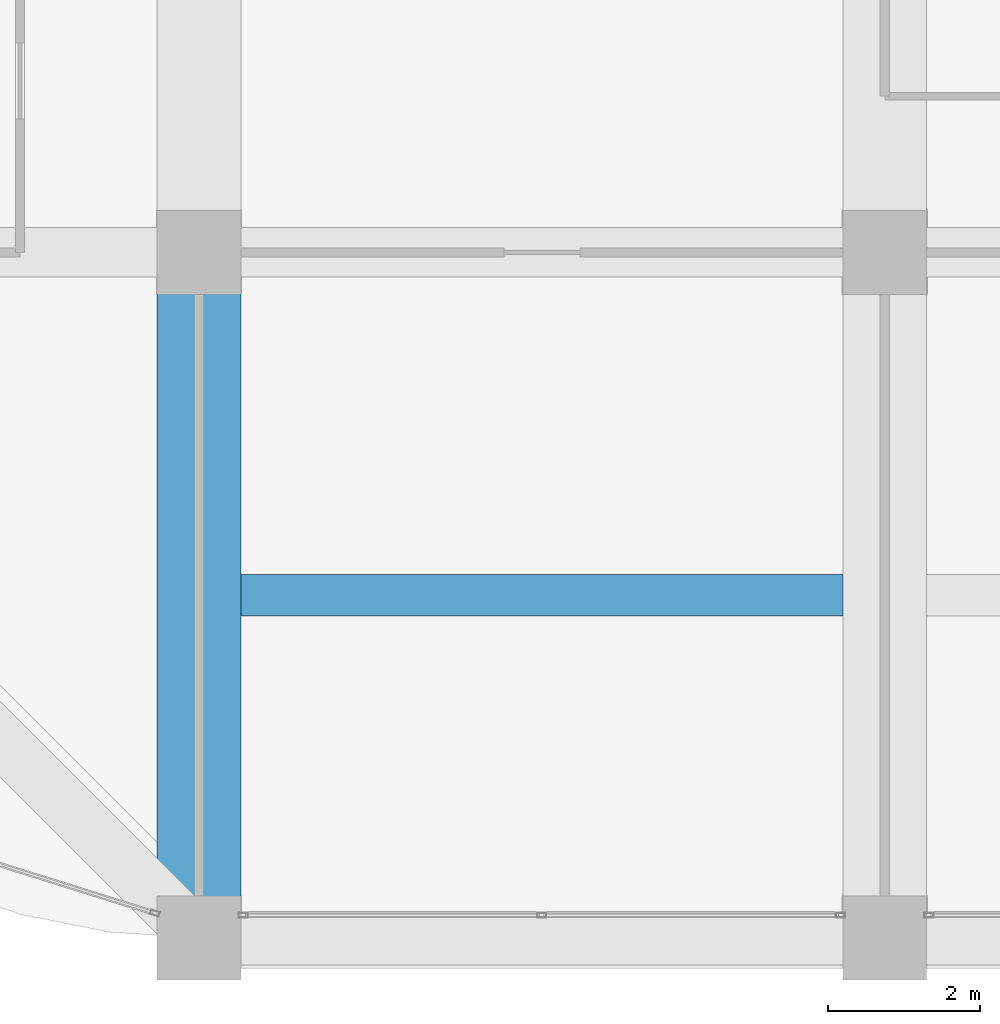
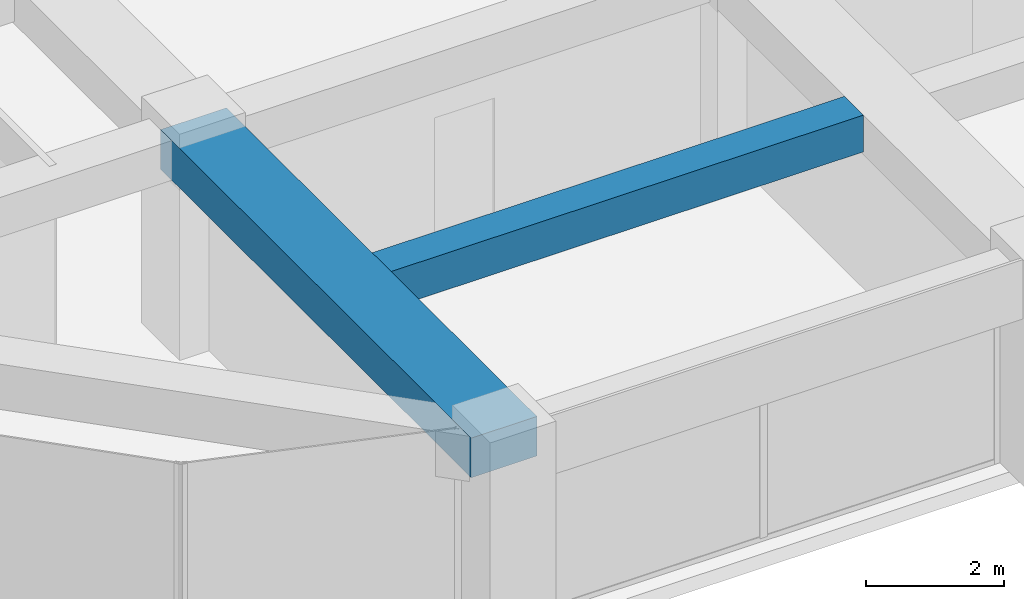
# One storey, part 5 of 45: 2 beams.
"""IFC4 building model written with IfcOpenShell, lengths in metres."""

import ifcopenshell
import ifcopenshell.guid

model = None  # the IFC model being written
_history = None  # IfcOwnerHistory: only IFC2X3 demands one
_inside = {}  # id of a spatial element -> (the spatial element, [elements in it])
_under = {}  # id of a project, library or spatial element -> (it, [spatial elements below it])
_declared = {}  # id of a project -> (the project, [libraries it declares])
_typed = {}  # id of a type object -> (the type object, [elements of that type])
_made_of = {}  # id of a material, layer set ... -> (it, [elements and type objects made of it])


def new_model(schema):
    """Start an empty IFC model of exactly this schema.

    Asked for "IFC4X3", IfcOpenShell would pick the latest addendum, in which some entities
    have other attributes; the version numbers below select the first issue.
    IFC2X3 requires an IfcOwnerHistory on every rooted entity: one is made here for all.
    """
    global model, _history
    if schema == "IFC4X3":
        model = ifcopenshell.file(schema_version=(4, 3, 0, 0))
    else:
        model = ifcopenshell.file(schema=schema)
    _inside.clear()
    _under.clear()
    _declared.clear()
    _typed.clear()
    _made_of.clear()
    _history = None
    if model.schema == "IFC2X3":
        org = make("IfcOrganization", Name="unknown")
        user = make(
            "IfcPersonAndOrganization",
            ThePerson=make("IfcPerson", FamilyName="unknown"),
            TheOrganization=org,
        )
        app = make(
            "IfcApplication",
            ApplicationDeveloper=org,
            Version="unknown",
            ApplicationFullName="unknown",
            ApplicationIdentifier="unknown",
        )
        _history = make(
            "IfcOwnerHistory",
            OwningUser=user,
            OwningApplication=app,
            ChangeAction="ADDED",
            CreationDate=0,
        )
    return model


def make(cls, **values):
    """One entity of the class cls with the attributes given. An attribute that is None is left unset."""
    return model.create_entity(
        cls, **{name: value for name, value in values.items() if value is not None}
    )


def rooted(cls, **values):
    """An entity with a GlobalId (a new one), such as an element, a storey or a relation."""
    return make(cls, GlobalId=ifcopenshell.guid.new(), OwnerHistory=_history, **values)


def si_unit(unit_type, name, prefix=None):
    """IfcSIUnit, for example si_unit("LENGTHUNIT", "METRE", prefix="MILLI")."""
    return make("IfcSIUnit", UnitType=unit_type, Prefix=prefix, Name=name)


def assignment(units):
    """IfcUnitAssignment: the units of a project."""
    return None if units is None else make("IfcUnitAssignment", Units=units)


def point(xyz):
    """IfcCartesianPoint."""
    return None if xyz is None else make("IfcCartesianPoint", Coordinates=xyz)


def direction(xyz):
    """IfcDirection."""
    return None if xyz is None else make("IfcDirection", DirectionRatios=xyz)


def frame(location, z_axis=None, x_axis=None):
    """IfcAxis2Placement3D, a coordinate frame: its origin and axes. An axis left out is left unset."""
    return make(
        "IfcAxis2Placement3D",
        Location=point(location),
        Axis=direction(z_axis),
        RefDirection=direction(x_axis),
    )


def frame_2d(location, x_axis=None):
    """IfcAxis2Placement2D, a coordinate frame in the plane: its origin and x axis."""
    return make(
        "IfcAxis2Placement2D", Location=point(location), RefDirection=direction(x_axis)
    )


def origin():
    """The frame at (0, 0, 0) with its axes left unset."""
    return frame((0.0, 0.0, 0.0))


def origin_2d():
    """The frame at (0, 0) in the plane with its x axis left unset."""
    return frame_2d((0.0, 0.0))


def place(relative_to, where):
    """IfcLocalPlacement: puts the frame where relative to a parent placement (None: the world)."""
    return make(
        "IfcLocalPlacement", PlacementRelTo=relative_to, RelativePlacement=where
    )


def context(
    kind, dimensions, precision=None, world=None, true_north=None, identifier=None
):
    """IfcGeometricRepresentationContext, for example the 3D "Model" context."""
    return make(
        "IfcGeometricRepresentationContext",
        ContextIdentifier=identifier,
        ContextType=kind,
        CoordinateSpaceDimension=dimensions,
        Precision=precision,
        WorldCoordinateSystem=world,
        TrueNorth=true_north,
    )


def subcontext(parent, identifier, kind, view, scale=None):
    """IfcGeometricRepresentationSubContext, for example "Body" below "Model"."""
    return make(
        "IfcGeometricRepresentationSubContext",
        ContextIdentifier=identifier,
        ContextType=kind,
        ParentContext=parent,
        TargetScale=scale,
        TargetView=view,
    )


def project(units=None, contexts=None):
    """IfcProject with its units and contexts."""
    return rooted(
        "IfcProject",
        Name="project",
        RepresentationContexts=contexts,
        UnitsInContext=assignment(units),
    )


def spatial(cls, under=None, at=None, **own):
    """A site, building, storey or space (cls), placed at a placement, below another one or the project."""
    s = rooted(cls, ObjectPlacement=at, **own)
    if under is not None:
        _under.setdefault(under.id(), (under, []))[1].append(s)
    return s


def profile(cls, at=None, kind="AREA", **sizes):
    """A parametric profile (cls). Its sizes go by their IFC names, for example OverallWidth=200.0."""
    return make(cls, ProfileType=kind, Position=at, **sizes)


def rectangle(**sizes):
    """IfcRectangleProfileDef."""
    return profile("IfcRectangleProfileDef", **sizes)


def extrude(swept, where, along, depth):
    """IfcExtrudedAreaSolid: the profile swept, set in the frame where, extruded along a direction by depth."""
    return make(
        "IfcExtrudedAreaSolid",
        SweptArea=swept,
        Position=where,
        ExtrudedDirection=direction(along),
        Depth=depth,
    )


def shape(context_of_items, identifier, shape_type, items):
    """IfcShapeRepresentation: the items that make up one representation, for example the "Body"."""
    return make(
        "IfcShapeRepresentation",
        ContextOfItems=context_of_items,
        RepresentationIdentifier=identifier,
        RepresentationType=shape_type,
        Items=items,
    )


def material(Name=None, Category=None):
    """IfcMaterial."""
    return make("IfcMaterial", Name=Name, Category=Category)


def material_profile(
    of_material, cross_section, Name=None, Category=None, Priority=None
):
    """IfcMaterialProfile: a cross section and its material."""
    return make(
        "IfcMaterialProfile",
        Name=Name,
        Material=of_material,
        Profile=cross_section,
        Priority=Priority,
        Category=Category,
    )


def profile_set(profiles, Name=None, composite=None):
    """IfcMaterialProfileSet."""
    return make(
        "IfcMaterialProfileSet",
        Name=Name,
        MaterialProfiles=profiles,
        CompositeProfile=composite,
    )


def made_of(thing, what):
    """Note that an element or type object is made of a material, layer set ...; save() writes the relation."""
    if what is not None:
        _made_of.setdefault(what.id(), (what, []))[1].append(thing)
    return thing


def type_object(cls, material=None, **own):
    """A type object (cls), such as IfcWallType, which elements share."""
    return made_of(rooted(cls, **own), material)


def element(
    cls,
    number,
    at=None,
    inside=None,
    cuts=None,
    type_object=None,
    material=None,
    context=None,
    identifier="Body",
    shape_type=None,
    held_by="IfcProductDefinitionShape",
    body=None,
    shapes=None,
    **own,
):
    """One element of the class cls, such as IfcWall. Its Tag is "e" and its number.

    at: its placement. inside: the storey or other place that contains it. cuts: it is an
    opening in that element (IfcRelVoidsElement). A single representation is given by context,
    identifier, shape_type and body (its items); several are given by shapes. held_by: the class
    of the entity that holds the representations. save() writes the other relations.
    """
    e = rooted(cls, Tag="e%d" % number, ObjectPlacement=at, **own)
    if body is not None:
        shapes = [shape(context, identifier, shape_type, body)]
    if shapes is not None:
        e.Representation = make(held_by, Representations=shapes)
    if inside is not None:
        _inside.setdefault(inside.id(), (inside, []))[1].append(e)
    if cuts is not None:
        rooted(
            "IfcRelVoidsElement", RelatingBuildingElement=cuts, RelatedOpeningElement=e
        )
    if type_object is not None:
        _typed.setdefault(type_object.id(), (type_object, []))[1].append(e)
    return made_of(e, material)


def aggregate(whole, parts):
    """IfcRelAggregates: a whole, such as a stair, and the parts it consists of."""
    return rooted("IfcRelAggregates", RelatingObject=whole, RelatedObjects=parts)


def save(model, path):
    """Write the relations noted so far, then the file.

    IfcRelAggregates (storeys below a building ...), IfcRelContainedInSpatialStructure (elements
    in a storey), IfcRelDefinesByType, IfcRelAssociatesMaterial and IfcRelDeclares: one each for
    every whole, place, type object, material and project.
    """
    for whole, parts in _under.values():
        aggregate(whole, parts)
    for where, things in _inside.values():
        rooted(
            "IfcRelContainedInSpatialStructure",
            RelatedElements=things,
            RelatingStructure=where,
        )
    for kind, things in _typed.values():
        rooted("IfcRelDefinesByType", RelatedObjects=things, RelatingType=kind)
    for what, things in _made_of.values():
        rooted("IfcRelAssociatesMaterial", RelatedObjects=things, RelatingMaterial=what)
    for by, libraries in _declared.values():
        rooted("IfcRelDeclares", RelatingContext=by, RelatedDefinitions=libraries)
    model.write(path)


model = new_model("IFC4")

# Units and contexts
model_context = context("Model", 3, precision=1e-05, world=origin(), true_north=direction((0.0, 1.0)))
body_context = subcontext(model_context, "Body", "Model", "MODEL_VIEW")
ifc_project = project(units=[si_unit("LENGTHUNIT", "METRE"), si_unit("AREAUNIT", "SQUARE_METRE"), si_unit("VOLUMEUNIT", "CUBIC_METRE"), si_unit("PLANEANGLEUNIT", "RADIAN"), si_unit("MASSUNIT", "GRAM", prefix="KILO")], contexts=[model_context])

# Site, building, storey
site_placement = place(None, origin())
site = spatial("IfcSite", under=ifc_project, at=site_placement, CompositionType="ELEMENT")
building_placement = place(site_placement, origin())
building = spatial("IfcBuilding", under=site, at=building_placement, Name="Zorevar Civic Tower", CompositionType="ELEMENT")
storey_placement = place(building_placement, frame((0.0, 0.0, 291.39990234375)))
storey = spatial("IfcBuildingStorey", under=building, at=storey_placement, Name="L71", CompositionType="ELEMENT", Elevation=291.39990234375)

# Beams
ifc_material_1 = material(Name="Concrete C50/60", Category="concrete")
ifc_material_profile_1 = material_profile(ifc_material_1, rectangle(XDim=1.10009765625, YDim=0.699951171875, at=origin_2d()), Name="RC 1100x700")
ifc_profile_set_1 = profile_set([ifc_material_profile_1], Name="Concrete C50/60")
beam_type_1 = type_object("IfcBeamType", Name="Beam RC 1100x700", PredefinedType="BEAM", material=ifc_profile_set_1)
beam_1_placement = place(storey_placement, frame((18.0, 0.0, 3.400146484375), z_axis=(0.0, 1.0, 0.0), x_axis=(-1.0, 0.0, 0.0)))
element("IfcBeam", 1, at=beam_1_placement, inside=storey, type_object=beam_type_1, Name="Girder L72", PredefinedType="BEAM", context=body_context, shape_type="SweptSolid", body=[
    extrude(rectangle(XDim=1.10009765625, YDim=0.699951171875, at=origin_2d()), origin(), (0.0, 0.0, 1.0), 9.0),
])
ifc_material_2 = material(Name="Concrete C50/60", Category="concrete")
ifc_material_profile_2 = material_profile(ifc_material_2, rectangle(XDim=0.550048828125, YDim=0.64990234375, at=origin_2d()), Name="RC 550x650")
ifc_profile_set_2 = profile_set([ifc_material_profile_2], Name="Concrete C50/60")
beam_type_2 = type_object("IfcBeamType", Name="Beam RC 550x650", PredefinedType="BEAM", material=ifc_profile_set_2)
beam_2_placement = place(storey_placement, frame((18.550048828125, 4.5, 3.425048828125), z_axis=(1.0, 0.0, 0.0), x_axis=(0.0, 1.0, 0.0)))
element("IfcBeam", 2, at=beam_2_placement, inside=storey, type_object=beam_type_2, Name="Secondary beam L72", PredefinedType="BEAM", context=body_context, shape_type="SweptSolid", body=[
    extrude(rectangle(XDim=0.550048828125, YDim=0.64990234375, at=origin_2d()), origin(), (0.0, 0.0, 1.0), 7.89990234375),
])

save(model, "model.ifc")
